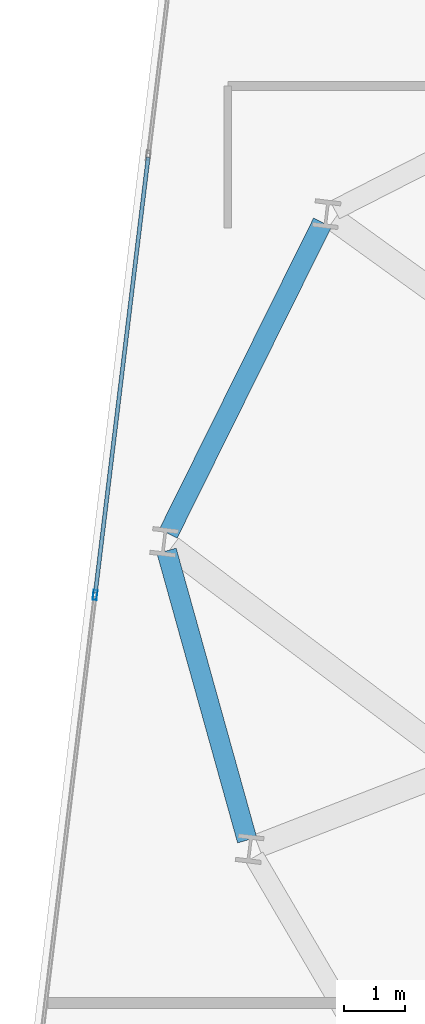
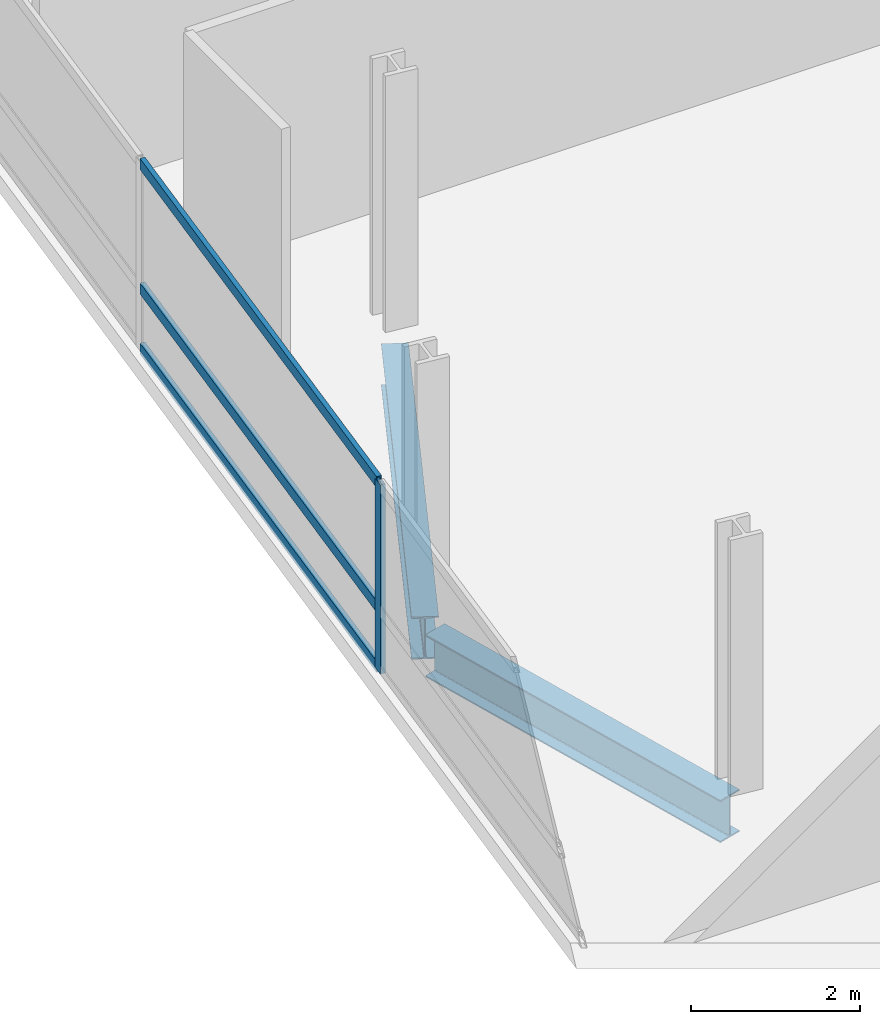
# One storey, part 8 of 26: 4 members, 2 beams, 1 element without a shape of its own.
"""IFC4 building model written with IfcOpenShell, lengths in metres."""

from ifc_helpers import new_model, si_unit, direction, frame, origin, origin_2d, place, context, subcontext, project, spatial, hollow_rectangle, i_section, extrude, material, layer, layer_set, material_profile, profile_set, type_object, element, aggregate, save


model = new_model("IFC4")

# Units and contexts
model_context = context("Model", 3, precision=1e-05, world=origin(), true_north=direction((0.0, 1.0)))
body_context = subcontext(model_context, "Body", "Model", "MODEL_VIEW")
ifc_project = project(units=[si_unit("LENGTHUNIT", "METRE"), si_unit("AREAUNIT", "SQUARE_METRE"), si_unit("VOLUMEUNIT", "CUBIC_METRE"), si_unit("PLANEANGLEUNIT", "RADIAN"), si_unit("MASSUNIT", "GRAM", prefix="KILO")], contexts=[model_context])

# Site, building, storey
site_placement = place(None, origin())
site = spatial("IfcSite", under=ifc_project, at=site_placement, CompositionType="ELEMENT")
building_placement = place(site_placement, origin())
building = spatial("IfcBuilding", under=site, at=building_placement, Name="Varnelok Gate Tower", CompositionType="ELEMENT")
storey_placement = place(building_placement, frame((0.0, 0.0, 155.0)))
storey = spatial("IfcBuildingStorey", under=building, at=storey_placement, Name="L39", CompositionType="ELEMENT", Elevation=155.0)

# Beams
ifc_material_1 = material(Name="Structural Steel ASTM A992 Grade 50", Category="steel")
ifc_material_profile_1 = material_profile(ifc_material_1, i_section(OverallWidth=0.323974609375, OverallDepth=0.611083984375, WebThickness=0.0126953125, FlangeThickness=0.01904296875, FilletRadius=0.01806640625, at=origin_2d()), Name="W24X104")
ifc_profile_set_1 = profile_set([ifc_material_profile_1], Name="Structural Steel ASTM A992 Grade 50")
beam_type = type_object("IfcBeamType", Name="BM-SPN-W24X104", PredefinedType="SPANDREL", material=ifc_profile_set_1)
beam_1_placement = place(storey_placement, frame((6.54052734375, 39.391357421875, -0.555419921875), z_axis=(-0.444186129993, -0.89593452993, 0.0), x_axis=(0.89593452993, -0.444186129993, 0.0)))
element("IfcBeam", 1, at=beam_1_placement, inside=storey, type_object=beam_type, Name="L39 Perimeter Spandrel Beam 14", PredefinedType="SPANDREL", context=body_context, shape_type="SweptSolid", body=[
    extrude(i_section(OverallWidth=0.323974609375, OverallDepth=0.611083984375, WebThickness=0.0126953125, FlangeThickness=0.01904296875, FilletRadius=0.01806640625, at=origin_2d()), origin(), (0.0, 0.0, 1.0), 5.649658203125),
])
beam_2_placement = place(storey_placement, frame((4.004638671875, 34.050537109375, -0.555419921875), z_axis=(0.268350251133, -0.963321411948, 0.0), x_axis=(0.963321411948, 0.268350251133, 0.0)))
element("IfcBeam", 2, at=beam_2_placement, inside=storey, type_object=beam_type, Name="L39 Perimeter Spandrel Beam 15", PredefinedType="SPANDREL", context=body_context, shape_type="SweptSolid", body=[
    extrude(i_section(OverallWidth=0.323974609375, OverallDepth=0.611083984375, WebThickness=0.0126953125, FlangeThickness=0.01904296875, FilletRadius=0.01806640625, at=origin_2d()), origin(), (0.0, 0.0, 1.0), 4.8837890625),
])

# Curtain wall, members
ifc_material_2 = material(Name="Anodized Aluminum Alloy 6063-T6", Category="aluminium")
ifc_layer = layer(ifc_material_2, 0.179931640625)
ifc_layer_set = layer_set([ifc_layer], Name="Anodized Aluminum Alloy 6063-T6")
curtain_wall_type = type_object("IfcCurtainWallType", Name="CW3-HOTEL-VISION", PredefinedType="USERDEFINED", material=ifc_layer_set)
curtain_wall_placement = place(storey_placement, origin())
curtain_wall = element("IfcCurtainWall", 3, at=curtain_wall_placement, inside=storey, type_object=curtain_wall_type, Name="L39 West End Vision Curtain Wall", ObjectType="UNITISED CURTAIN WALL", PredefinedType="USERDEFINED")
ifc_material_profile_2 = material_profile(ifc_material_2, hollow_rectangle(XDim=0.06494140625, YDim=0.159912109375, WallThickness=0.00390625, at=origin_2d()), Name="ALU160X65X4")
ifc_profile_set_2 = profile_set([ifc_material_profile_2], Name="Anodized Aluminum Alloy 6063-T6")
member_type_1 = type_object("IfcMemberType", Name="CW-MULL-160", PredefinedType="MULLION", material=ifc_profile_set_2)
member_1_placement = place(storey_placement, frame((2.842529296875, 33.333740234375, 0.0), z_axis=(0.0, 0.0, 1.0), x_axis=(-0.99273188146, 0.120347046212, 0.0)))
member_1 = element("IfcMember", 4, at=member_1_placement, type_object=member_type_1, Name="CW3 mullion 4", PredefinedType="MULLION", context=body_context, shape_type="SweptSolid", body=[
    extrude(hollow_rectangle(XDim=0.06494140625, YDim=0.159912109375, WallThickness=0.00390625, at=origin_2d()), origin(), (0.0, 0.0, 1.0), 2.72998046875),
])
ifc_material_profile_3 = material_profile(ifc_material_2, hollow_rectangle(XDim=0.06494140625, YDim=0.159912109375, WallThickness=0.00390625, at=origin_2d()), Name="ALU160X65X4")
ifc_profile_set_3 = profile_set([ifc_material_profile_3], Name="Anodized Aluminum Alloy 6063-T6")
member_type_2 = type_object("IfcMemberType", Name="CW-TRAN-160", PredefinedType="USERDEFINED", material=ifc_profile_set_3)
member_2_placement = place(storey_placement, frame((2.846435546875, 33.3662109375, 0.032470703125), z_axis=(0.120344652138, 0.992732171687, 0.0), x_axis=(-0.992732171687, 0.120344652138, 0.0)))
member_2 = element("IfcMember", 5, at=member_2_placement, type_object=member_type_2, Name="CW3 transom 4.1", ObjectType="TRANSOM", PredefinedType="USERDEFINED", context=body_context, shape_type="SweptSolid", body=[
    extrude(hollow_rectangle(XDim=0.06494140625, YDim=0.159912109375, WallThickness=0.00390625, at=origin_2d()), origin(), (0.0, 0.0, 1.0), 7.134765625),
])
member_3_placement = place(storey_placement, frame((2.846435546875, 33.3662109375, 0.89990234375), z_axis=(0.120344652138, 0.992732171687, 0.0), x_axis=(-0.992732171687, 0.120344652138, 0.0)))
member_3 = element("IfcMember", 6, at=member_3_placement, type_object=member_type_2, Name="CW3 transom 4.2", ObjectType="TRANSOM", PredefinedType="USERDEFINED", context=body_context, shape_type="SweptSolid", body=[
    extrude(hollow_rectangle(XDim=0.06494140625, YDim=0.159912109375, WallThickness=0.00390625, at=origin_2d()), origin(), (0.0, 0.0, 1.0), 7.134765625),
])
member_4_placement = place(storey_placement, frame((2.846435546875, 33.3662109375, 2.697509765625), z_axis=(0.120344652138, 0.992732171687, 0.0), x_axis=(-0.992732171687, 0.120344652138, 0.0)))
member_4 = element("IfcMember", 7, at=member_4_placement, type_object=member_type_2, Name="CW3 transom 4.3", ObjectType="TRANSOM", PredefinedType="USERDEFINED", context=body_context, shape_type="SweptSolid", body=[
    extrude(hollow_rectangle(XDim=0.06494140625, YDim=0.159912109375, WallThickness=0.00390625, at=origin_2d()), origin(), (0.0, 0.0, 1.0), 7.134765625),
])
aggregate(curtain_wall, [member_1, member_2, member_3, member_4])

save(model, "model.ifc")
